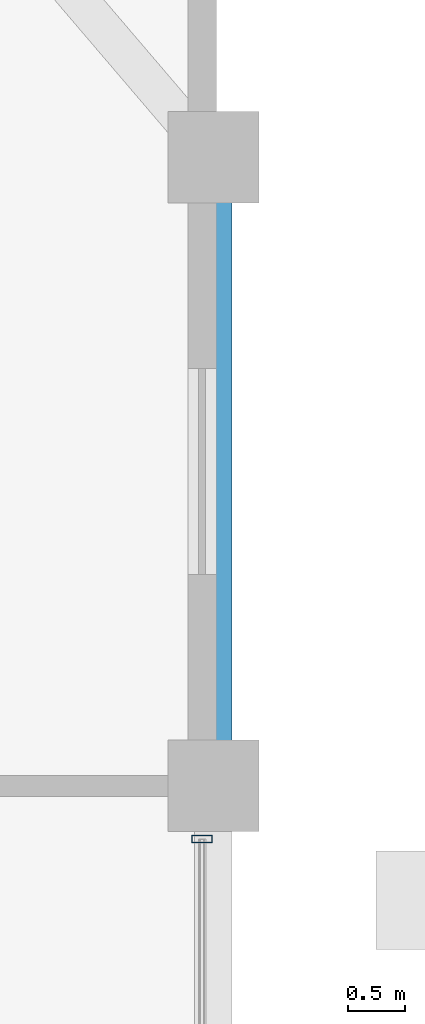
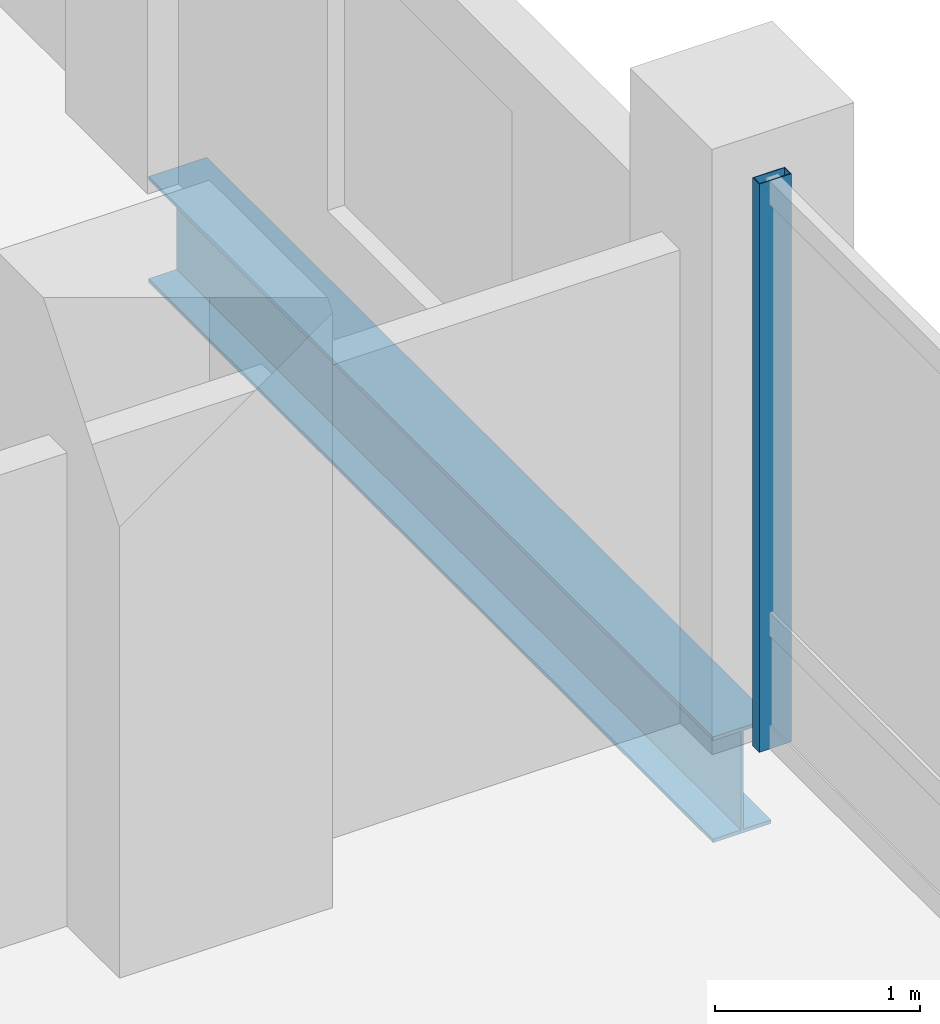
# One storey, part 12 of 19: 1 beam, 1 member, 1 element without a shape of its own.
"""IFC4 building model written with IfcOpenShell, lengths in metres."""

from ifc_helpers import new_model, si_unit, direction, frame, origin, origin_2d, place, context, subcontext, project, spatial, hollow_rectangle, i_section, extrude, material, layer, layer_set, material_profile, profile_set, type_object, element, aggregate, save


model = new_model("IFC4")

# Units and contexts
model_context = context("Model", 3, precision=1e-05, world=origin(), true_north=direction((0.0, 1.0)))
body_context = subcontext(model_context, "Body", "Model", "MODEL_VIEW")
ifc_project = project(units=[si_unit("LENGTHUNIT", "METRE"), si_unit("AREAUNIT", "SQUARE_METRE"), si_unit("VOLUMEUNIT", "CUBIC_METRE"), si_unit("PLANEANGLEUNIT", "RADIAN"), si_unit("MASSUNIT", "GRAM", prefix="KILO")], contexts=[model_context])

# Site, building, storey
site_placement = place(None, origin())
site = spatial("IfcSite", under=ifc_project, at=site_placement, CompositionType="ELEMENT")
building_placement = place(site_placement, origin())
building = spatial("IfcBuilding", under=site, at=building_placement, Name="Barlavira Tower and Art Museum", CompositionType="ELEMENT")
storey_placement = place(building_placement, frame((0.0, 0.0, 158.39990234375)))
storey = spatial("IfcBuildingStorey", under=building, at=storey_placement, Name="L40", CompositionType="ELEMENT", Elevation=158.39990234375)

# Curtain wall, member
ifc_material_1 = material(Name="Low-iron coastal laminated glass", Category="glass")
ifc_layer = layer(ifc_material_1, 0.18994140625, Name="Low-iron coastal laminated glass")
ifc_layer_set = layer_set([ifc_layer], Name="Low-iron coastal laminated glass")
curtain_wall_type = type_object("IfcCurtainWallType", Name="Pale-Metal Unitised Curtain Wall Zone 2", PredefinedType="NOTDEFINED", material=ifc_layer_set)
curtain_wall_placement = place(storey_placement, origin())
curtain_wall = element("IfcCurtainWall", 1, at=curtain_wall_placement, inside=storey, type_object=curtain_wall_type, Name="L40 Curtain Wall CW2-L40-E-B3", PredefinedType="NOTDEFINED")
ifc_material_2 = material(Name="Pale anodised aluminium", Category="aluminium")
ifc_material_profile_1 = material_profile(ifc_material_2, hollow_rectangle(XDim=0.06494140625, YDim=0.179931640625, WallThickness=0.00390625, at=origin_2d()), Name="ALU-MULL 65x180x4")
ifc_profile_set_1 = profile_set([ifc_material_profile_1], Name="Pale anodised aluminium")
member_type = type_object("IfcMemberType", Name="Curtain Wall Pale-Metal Mullion 65x180", PredefinedType="MULLION", material=ifc_profile_set_1)
member_placement = place(storey_placement, frame((20.14990234375, 7.034912109375, 0.0), z_axis=(0.0, 0.0, 1.0), x_axis=(0.0, 1.0, 0.0)))
member = element("IfcMember", 2, at=member_placement, type_object=member_type, Name="CW2-L40-E-B3 Mullion 3", PredefinedType="MULLION", context=body_context, shape_type="SweptSolid", body=[
    extrude(hollow_rectangle(XDim=0.06494140625, YDim=0.179931640625, WallThickness=0.00390625, at=origin_2d()), origin(), (0.0, 0.0, 1.0), 3.380126953125),
])
aggregate(curtain_wall, [member])

# Beam
ifc_material_3 = material(Name="Steel S355", Category="steel")
ifc_material_profile_2 = material_profile(ifc_material_3, i_section(OverallWidth=0.327880859375, OverallDepth=0.62890625, WebThickness=0.013916015625, FlangeThickness=0.021484375, at=origin_2d()), Name="W610x174.0")
ifc_profile_set_2 = profile_set([ifc_material_profile_2], Name="Steel S355")
beam_type = type_object("IfcBeamType", Name="Perimeter Spandrel Edge Beam W610x174 Steel S355", PredefinedType="SPANDREL", material=ifc_profile_set_2)
beam_placement = place(storey_placement, frame((20.25, 7.5, -0.534423828125), z_axis=(0.0, 1.0, 0.0), x_axis=(-1.0, 0.0, 0.0)))
element("IfcBeam", 3, at=beam_placement, inside=storey, type_object=beam_type, Name="L40 Spandrel 7", PredefinedType="SPANDREL", context=body_context, shape_type="SweptSolid", body=[
    extrude(i_section(OverallWidth=0.327880859375, OverallDepth=0.62890625, WebThickness=0.013916015625, FlangeThickness=0.021484375, at=origin_2d()), origin(), (0.0, 0.0, 1.0), 5.5),
])

save(model, "model.ifc")
